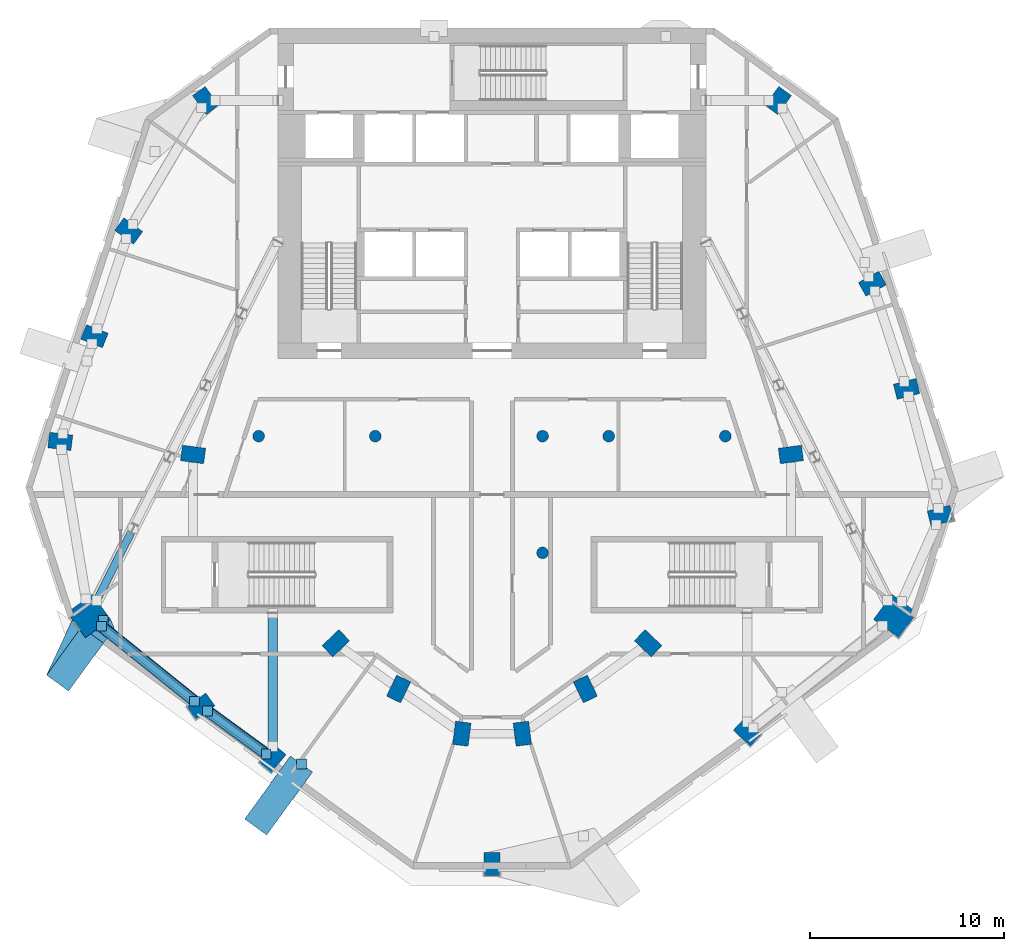
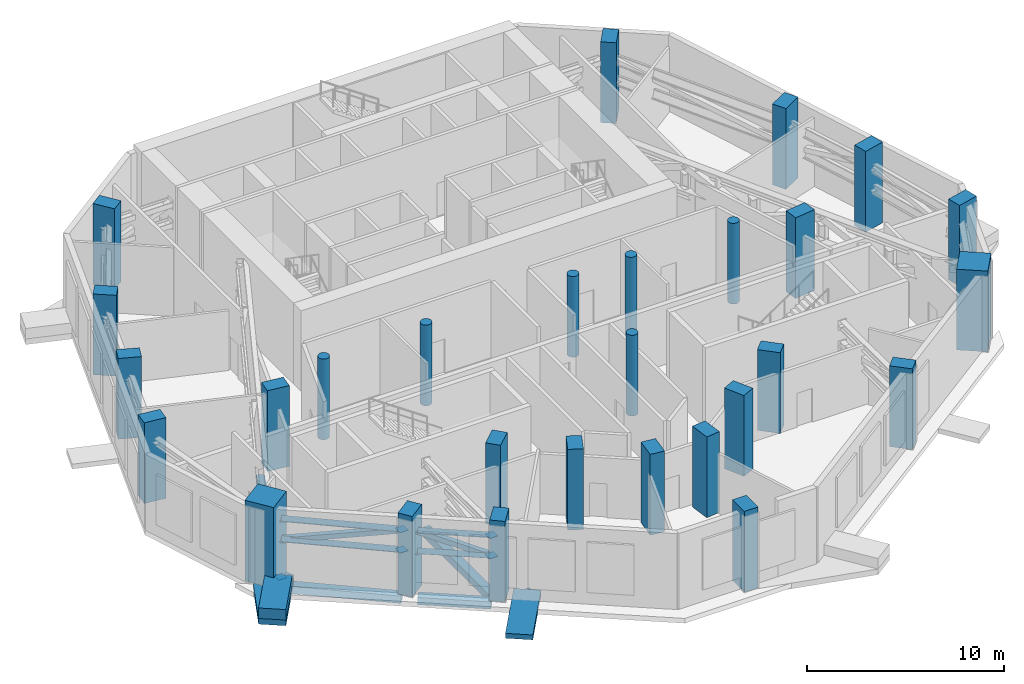
# One storey, part 1 of 16: 28 columns, 10 discrete accessories, 10 members, 3 beams.
"""IFC4 building model written with IfcOpenShell, lengths in metres."""

from ifc_helpers import new_model, si_unit, direction, frame, origin, origin_2d, place, context, subcontext, project, spatial, polyline, rectangle, hollow_rectangle, circle, i_section, outline, extrude, material, layer, layer_set, material_profile, profile_set, type_object, element, aggregate, save


model = new_model("IFC4")

# Units and contexts
model_context = context("Model", 3, precision=1e-05, world=origin(), true_north=direction((0.0, 1.0)))
body_context = subcontext(model_context, "Body", "Model", "MODEL_VIEW")
ifc_project = project(units=[si_unit("LENGTHUNIT", "METRE"), si_unit("AREAUNIT", "SQUARE_METRE"), si_unit("VOLUMEUNIT", "CUBIC_METRE"), si_unit("PLANEANGLEUNIT", "RADIAN"), si_unit("MASSUNIT", "GRAM", prefix="KILO")], contexts=[model_context])

# Site, building, storey
site_placement = place(None, origin())
site = spatial("IfcSite", under=ifc_project, at=site_placement, CompositionType="ELEMENT")
building_placement = place(site_placement, origin())
building = spatial("IfcBuilding", under=site, at=building_placement, Name="White Candle Pilgrim Tower", CompositionType="ELEMENT")
storey_placement = place(building_placement, frame((0.0, 0.0, 243.300048828125)))
storey = spatial("IfcBuildingStorey", under=building, at=storey_placement, Name="L57", CompositionType="ELEMENT", Elevation=243.300048828125)

# Columns
ifc_material_1 = material(Name="Concrete C70/85", Category="concrete")
ifc_material_profile_1 = material_profile(ifc_material_1, circle(Radius=0.300048828125, at=origin_2d()), Name="RC-COL D600")
ifc_profile_set_1 = profile_set([ifc_material_profile_1], Name="Concrete C70/85")
column_type_1 = type_object("IfcColumnType", Name="Interior column RC-COL D600 C70/85", PredefinedType="COLUMN", material=ifc_profile_set_1)
for number, where, z_axis, x_axis, name in (
    (1, (58.0, 67.0, 0.0), (0.0, 0.0, 1.0), (1.0, 0.0, 0.0), "L57 column I01"),
    (2, (64.0, 67.0, 0.0), (0.0, 0.0, 1.0), (1.0, 0.0, 0.0), "L57 column I02"),
    (3, (72.60009765625, 61.0, 0.0), (0.0, 0.0, 1.0), (1.0, 0.0, 0.0), "L57 column I03"),
    (4, (72.60009765625, 67.0, 0.0), (0.0, 0.0, 1.0), (1.0, 0.0, 0.0), "L57 column I04"),
    (5, (76.0, 67.0, 0.0), (0.0, 0.0, 1.0), (1.0, 0.0, 0.0), "L57 column I05"),
    (6, (82.0, 67.0, 0.0), (0.0, 0.0, 1.0), (1.0, 0.0, 0.0), "L57 column I06"),
):
    element("IfcColumn", number, at=place(storey_placement, frame(where, z_axis=z_axis, x_axis=x_axis)), inside=storey, type_object=column_type_1, Name=name, PredefinedType="COLUMN", context=body_context, shape_type="SweptSolid", body=[
        extrude(circle(Radius=0.300048828125, at=origin_2d()), origin(), (0.0, 0.0, 1.0), 5.0),
    ])
ifc_material_profile_2 = material_profile(ifc_material_1, rectangle(XDim=1.60009765625, YDim=1.60009765625, at=origin_2d()), Name="RC 1600x1600")
ifc_profile_set_2 = profile_set([ifc_material_profile_2], Name="Concrete C70/85")
column_type_2 = type_object("IfcColumnType", Name="Mega column RC 1600x1600 C70/85", PredefinedType="COLUMN", material=ifc_profile_set_2)
for number, where, z_axis, x_axis, name in (
    (7, (49.27001953125, 57.75, 0.0), (0.0, 0.0, 1.0), (-0.809016994375, -0.587785252292, 0.0), "L57 mega column T01"),
    (8, (90.739990234375, 57.75, 0.0), (0.0, 0.0, 1.0), (0.809016994375, -0.587785252292, 0.0), "L57 mega column T06"),
):
    element("IfcColumn", number, at=place(storey_placement, frame(where, z_axis=z_axis, x_axis=x_axis)), inside=storey, type_object=column_type_2, Name=name, PredefinedType="COLUMN", context=body_context, shape_type="SweptSolid", body=[
        extrude(rectangle(XDim=1.60009765625, YDim=1.60009765625, at=origin_2d()), origin(), (0.0, 0.0, 1.0), 5.0),
    ])
ifc_material_profile_3 = material_profile(ifc_material_1, rectangle(XDim=0.800048828125, YDim=1.199951171875, at=origin_2d()), Name="RC-PR 800x1200")
ifc_profile_set_3 = profile_set([ifc_material_profile_3], Name="Concrete C70/85")
column_type_3 = type_object("IfcColumnType", Name="Perimeter column RC-PR 800x1200 C70/85", PredefinedType="COLUMN", material=ifc_profile_set_3)
for number, where, z_axis, x_axis, name in (
    (9, (55.030029296875, 53.110107421875, 0.0), (0.0, 0.0, 1.0), (-0.58846280644, 0.808524288711, 0.0), "L57 column T02"),
    (10, (58.719970703125, 50.419921875, 0.0), (0.0, 0.0, 1.0), (-0.769310358735, 0.638875239733, 0.0), "L57 column T03"),
    (11, (70.0, 45.0, 0.0), (0.0, 0.0, 1.0), (-1.0, 0.0, 0.0), "L57 column T04"),
    (12, (83.1201171875, 51.760009765625, 0.0), (0.0, 0.0, 1.0), (-0.681998360062, -0.731353701619, 0.0), "L57 column T05"),
    (13, (93.06005859375, 62.909912109375, 0.0), (0.0, 0.0, 1.0), (0.246880623275, -0.969045900797, 0.0), "L57 column T07"),
    (14, (91.320068359375, 69.429931640625, 0.0), (0.0, 0.0, 1.0), (0.246880623275, -0.969045900797, 0.0), "L57 column T08"),
    (15, (89.56005859375, 74.840087890625, 0.0), (0.0, 0.0, 1.0), (0.484809620246, -0.874619707139, 0.0), "L57 column T09"),
    (16, (84.719970703125, 84.260009765625, 0.0), (0.0, 0.0, 1.0), (0.80902725304, -0.587771132193, 0.0), "L57 column T10"),
    (17, (55.280029296875, 84.260009765625, 0.0), (0.0, 0.0, 1.0), (0.80902725304, 0.587771132193, 0.0), "L57 column T11"),
    (18, (51.320068359375, 77.550048828125, 0.0), (0.0, 0.0, 1.0), (0.587107285614, 0.809509132239, 0.0), "L57 column T12"),
    (19, (49.56005859375, 72.139892578125, 0.0), (0.0, 0.0, 1.0), (0.369860269472, 0.929087391512, 0.0), "L57 column T13"),
    (20, (47.800048828125, 66.72998046875, 0.0), (0.0, 0.0, 1.0), (0.121869343405, 0.992546151641, 0.0), "L57 column T14"),
):
    element("IfcColumn", number, at=place(storey_placement, frame(where, z_axis=z_axis, x_axis=x_axis)), inside=storey, type_object=column_type_3, Name=name, PredefinedType="COLUMN", context=body_context, shape_type="SweptSolid", body=[
        extrude(rectangle(XDim=0.800048828125, YDim=1.199951171875, at=origin_2d()), origin(), (0.0, 0.0, 1.0), 5.0),
    ])
ifc_material_profile_4 = material_profile(ifc_material_1, rectangle(XDim=0.800048828125, YDim=1.199951171875, at=origin_2d()), Name="RC-PR 800x1200")
ifc_profile_set_4 = profile_set([ifc_material_profile_4], Name="Concrete C70/85")
column_type_4 = type_object("IfcColumnType", Name="Ring column RC-PR 800x1200 C70/85", PredefinedType="COLUMN", material=ifc_profile_set_4)
for number, where, z_axis, x_axis, name in (
    (21, (61.969970703125, 56.35009765625, 0.0), (0.0, 0.0, 1.0), (-0.689872285383, 0.723931094691, 0.0), "L57 column R01"),
    (22, (65.199951171875, 54.0, 0.0), (0.0, 0.0, 1.0), (-0.901689191761, 0.43238478403, 0.0), "L57 column R02"),
    (23, (68.449951171875, 51.699951171875, 0.0), (0.0, 0.0, 1.0), (-0.992092811428, 0.125506388335, 0.0), "L57 column R03"),
    (24, (71.56005859375, 51.699951171875, 0.0), (0.0, 0.0, 1.0), (-0.992092811428, -0.125506388335, 0.0), "L57 column R04"),
    (25, (74.800048828125, 54.0, 0.0), (0.0, 0.0, 1.0), (-0.901689191761, -0.43238478403, 0.0), "L57 column R05"),
    (26, (78.030029296875, 56.35009765625, 0.0), (0.0, 0.0, 1.0), (-0.689872285383, -0.723931094691, 0.0), "L57 column R06"),
    (27, (85.3701171875, 66.06005859375, 0.0), (0.0, 0.0, 1.0), (0.132602381688, -0.991169313675, 0.0), "L57 column R07"),
    (28, (54.6298828125, 66.06005859375, 0.0), (0.0, 0.0, 1.0), (0.132602381688, 0.991169313675, 0.0), "L57 column R08"),
):
    element("IfcColumn", number, at=place(storey_placement, frame(where, z_axis=z_axis, x_axis=x_axis)), inside=storey, type_object=column_type_4, Name=name, PredefinedType="COLUMN", context=body_context, shape_type="SweptSolid", body=[
        extrude(rectangle(XDim=0.800048828125, YDim=1.199951171875, at=origin_2d()), origin(), (0.0, 0.0, 1.0), 5.0),
    ])

# Member
ifc_material_2 = material(Name="Steel S355", Category="steel")
ifc_material_profile_5 = material_profile(ifc_material_2, i_section(OverallWidth=0.305908203125, OverallDepth=0.52392578125, WebThickness=0.02099609375, FlangeThickness=0.0400390625, FilletRadius=0.027099609375, at=origin_2d()), Name="HEM 500")
ifc_profile_set_5 = profile_set([ifc_material_profile_5], Name="Steel S355")
member_type_1 = type_object("IfcMemberType", Name="Belt truss chord HEM 500 S355", PredefinedType="CHORD", material=ifc_profile_set_5)
member_1_placement = place(storey_placement, frame((49.915283203125, 57.22998046875, 2.411865234375), z_axis=(0.778778136726, -0.62729946099, 0.0), x_axis=(0.393522107098, 0.488548822985, 0.778755673357)))
member_1 = element("IfcMember", 29, at=member_1_placement, inside=storey, type_object=member_type_1, Name="L57 belt truss bottom chord 01", PredefinedType="CHORD", context=body_context, shape_type="SweptSolid", body=[
    extrude(i_section(OverallWidth=0.305908203125, OverallDepth=0.52392578125, WebThickness=0.02099609375, FlangeThickness=0.0400390625, FilletRadius=0.027099609375, at=origin_2d()), origin(), (0.0, 0.0, 1.0), 6.153564453125),
])

member_2_placement = place(storey_placement, frame((49.915283203125, 57.22998046875, 3.677978515625), z_axis=(0.778778136726, -0.62729946099, 0.0), x_axis=(0.393522107098, 0.488548822985, 0.778755673357)))
member_2 = element("IfcMember", 30, at=member_2_placement, inside=storey, type_object=member_type_1, Name="L57 belt truss top chord 01", PredefinedType="CHORD", context=body_context, shape_type="SweptSolid", body=[
    extrude(i_section(OverallWidth=0.305908203125, OverallDepth=0.52392578125, WebThickness=0.02099609375, FlangeThickness=0.0400390625, FilletRadius=0.027099609375, at=origin_2d()), origin(), (0.0, 0.0, 1.0), 6.153564453125),
])

member_3_placement = place(storey_placement, frame((55.36962890625, 52.8623046875, 2.411865234375), z_axis=(0.808061834145, -0.58909767628, 0.0), x_axis=(0.347026248306, 0.47601387341, 0.808073991233)))
member_3 = element("IfcMember", 31, at=member_3_placement, inside=storey, type_object=member_type_1, Name="L57 belt truss bottom chord 02", PredefinedType="CHORD", context=body_context, shape_type="SweptSolid", body=[
    extrude(i_section(OverallWidth=0.305908203125, OverallDepth=0.52392578125, WebThickness=0.02099609375, FlangeThickness=0.0400390625, FilletRadius=0.027099609375, at=origin_2d()), origin(), (0.0, 0.0, 1.0), 3.7451171875),
])

member_4_placement = place(storey_placement, frame((55.36962890625, 52.8623046875, 3.677978515625), z_axis=(0.808061834145, -0.58909767628, 0.0), x_axis=(0.347026248306, 0.47601387341, 0.808073991233)))
member_4 = element("IfcMember", 32, at=member_4_placement, inside=storey, type_object=member_type_1, Name="L57 belt truss top chord 02", PredefinedType="CHORD", context=body_context, shape_type="SweptSolid", body=[
    extrude(i_section(OverallWidth=0.305908203125, OverallDepth=0.52392578125, WebThickness=0.02099609375, FlangeThickness=0.0400390625, FilletRadius=0.027099609375, at=origin_2d()), origin(), (0.0, 0.0, 1.0), 3.7451171875),
])

# Members
ifc_material_profile_6 = material_profile(ifc_material_2, hollow_rectangle(XDim=0.300048828125, YDim=0.300048828125, WallThickness=0.01611328125, at=origin_2d()), Name="SHS 300x300x16")
ifc_profile_set_6 = profile_set([ifc_material_profile_6], Name="Steel S355")
member_type_2 = type_object("IfcMemberType", Name="Belt truss diagonal SHS 300x300x16 S355", PredefinedType="BRACE", material=ifc_profile_set_6)
member_5_placement = place(storey_placement, frame((49.915283203125, 57.22998046875, 2.411865234375), z_axis=(0.762799077298, -0.614428458463, 0.201532223489), x_axis=(0.62729946099, 0.778778136726, 0.0)))
element("IfcMember", 33, at=member_5_placement, inside=storey, type_object=member_type_2, Name="L57 belt truss diagonal 01", PredefinedType="BRACE", context=body_context, shape_type="SweptSolid", body=[
    extrude(hollow_rectangle(XDim=0.300048828125, YDim=0.300048828125, WallThickness=0.01611328125, at=origin_2d()), origin(), (0.0, 0.0, 1.0), 6.282470703125),
])
member_6_placement = place(storey_placement, frame((55.36962890625, 52.8623046875, 3.677978515625), z_axis=(0.765502050014, -0.558070508711, -0.320256020601), x_axis=(0.58909767628, 0.808061834145, 0.0)))
element("IfcMember", 34, at=member_6_placement, inside=storey, type_object=member_type_2, Name="L57 belt truss diagonal 02", PredefinedType="BRACE", context=body_context, shape_type="SweptSolid", body=[
    extrude(hollow_rectangle(XDim=0.300048828125, YDim=0.300048828125, WallThickness=0.01611328125, at=origin_2d()), origin(), (0.0, 0.0, 1.0), 3.953369140625),
])
ifc_material_profile_7 = material_profile(ifc_material_2, hollow_rectangle(XDim=0.39990234375, YDim=0.39990234375, WallThickness=0.02001953125, at=origin_2d()), Name="SHS 400x400x20")
ifc_profile_set_7 = profile_set([ifc_material_profile_7], Name="Steel S355")
member_type_3 = type_object("IfcMemberType", Name="L44 outrigger 1 diagonal SHS 400x400x20 S355", PredefinedType="BRACE", material=ifc_profile_set_7)
member_7_placement = place(storey_placement, frame((51.54052734375, 62.2421875, 2.556884765625), z_axis=(-0.415878287523, -0.822881455791, 0.387183883552), x_axis=(0.89249372005, -0.451059818285, 0.0)))
element("IfcMember", 35, at=member_7_placement, inside=storey, type_object=member_type_3, Name="L57 outrigger 1 diagonal 5", PredefinedType="BRACE", context=body_context, shape_type="SweptSolid", body=[
    extrude(hollow_rectangle(XDim=0.39990234375, YDim=0.39990234375, WallThickness=0.02001953125, at=origin_2d()), origin(), (0.0, 0.0, 1.0), 4.48388671875),
])

# Member
ifc_material_3 = material(Name="Concrete C70/85, white", Category="concrete")
ifc_layer_1 = layer(ifc_material_3, 0.300048828125)
ifc_layer_set_1 = layer_set([ifc_layer_1], Name="Node tie strut 4000x1400x300 C70/85")
member_type_4 = type_object("IfcMemberType", Name="Node tie strut 4000x1400x300 C70/85", PredefinedType="STRUT", material=ifc_layer_set_1)
member_8_placement = place(storey_placement, frame((0.0, 0.0, -0.35009765625)))
member_8 = element("IfcMember", 36, at=member_8_placement, inside=storey, type_object=member_type_4, Name="Node tie strut NC198", PredefinedType="STRUT", context=body_context, shape_type="SweptSolid", body=[
    extrude(outline(polyline([(48.22802734375, 53.8916015625), (50.5791015625, 57.127685546875), (50.387451171875, 57.572998046875), (49.093017578125, 56.632568359375), (48.420166015625, 57.55859375), (47.095458984375, 54.714599609375), (48.22802734375, 53.8916015625)])), origin(), (0.0, 0.0, 1.0), 0.35009765625),
])

member_9_placement = place(storey_placement, origin())
element("IfcMember", 37, at=member_9_placement, inside=storey, type_object=member_type_4, Name="Node tie strut NC198", PredefinedType="STRUT", context=body_context, shape_type="SweptSolid", body=[
    extrude(outline(polyline([(48.22802734375, 53.8916015625), (50.020751953125, 56.359130859375), (49.36865234375, 56.8330078125), (49.093017578125, 56.632568359375), (48.791015625, 57.04833984375), (47.095458984375, 54.714599609375), (48.22802734375, 53.8916015625)])), origin(), (0.0, 0.0, 1.0), 0.64990234375),
])

member_10_placement = place(storey_placement, frame((59.024169921875, 48.52001953125, -0.30029296875), z_axis=(0.0, 0.0, 1.0), x_axis=(0.809016994375, -0.587785252292, 0.0)))
member_10 = element("IfcMember", 38, at=member_10_placement, inside=storey, type_object=member_type_4, Name="Node tie strut NC199", PredefinedType="STRUT", context=body_context, shape_type="SweptSolid", body=[
    extrude(rectangle(XDim=1.39990234375, YDim=4.0, at=origin_2d()), origin(), (0.0, 0.0, 1.0), 0.300048828125),
])

# Beams
ifc_material_4 = material(Name="Concrete C50/60", Category="concrete")
ifc_material_profile_8 = material_profile(ifc_material_4, rectangle(XDim=0.5, YDim=0.449951171875, at=origin_2d()), Name="RC-BM 500x450")
ifc_profile_set_8 = profile_set([ifc_material_profile_8], Name="Concrete C50/60")
beam_type = type_object("IfcBeamType", Name="Spandrel beam RC-BM 500x450 C50/60", PredefinedType="BEAM", material=ifc_profile_set_8)
beam_1_placement = place(storey_placement, frame((49.915283203125, 57.22998046875, -0.525146484375), z_axis=(0.778778136726, -0.62729946099, 0.0), x_axis=(0.62729946099, 0.778778136726, 0.0)))
element("IfcBeam", 39, at=beam_1_placement, inside=storey, type_object=beam_type, Name="L57 spandrel beam T01", PredefinedType="BEAM", context=body_context, shape_type="SweptSolid", body=[
    extrude(rectangle(XDim=0.5, YDim=0.449951171875, at=origin_2d()), origin(), (0.0, 0.0, 1.0), 6.153564453125),
])
beam_2_placement = place(storey_placement, frame((55.36962890625, 52.8623046875, -0.525146484375), z_axis=(0.808061834145, -0.58909767628, 0.0), x_axis=(0.58909767628, 0.808061834145, 0.0)))
element("IfcBeam", 40, at=beam_2_placement, inside=storey, type_object=beam_type, Name="L57 spandrel beam T02", PredefinedType="BEAM", context=body_context, shape_type="SweptSolid", body=[
    extrude(rectangle(XDim=0.5, YDim=0.449951171875, at=origin_2d()), origin(), (0.0, 0.0, 1.0), 3.7451171875),
])
beam_3_placement = place(storey_placement, frame((58.719970703125, 51.046142578125, -0.525146484375), z_axis=(0.0, 1.0, 0.0), x_axis=(-1.0, 0.0, 0.0)))
element("IfcBeam", 41, at=beam_3_placement, inside=storey, type_object=beam_type, Name="L57 spandrel beam T03", PredefinedType="BEAM", context=body_context, shape_type="SweptSolid", body=[
    extrude(rectangle(XDim=0.5, YDim=0.449951171875, at=origin_2d()), origin(), (0.0, 0.0, 1.0), 6.853759765625),
])

# Discrete accessory
ifc_layer_2 = layer(ifc_material_2, 0.02490234375)
ifc_layer_set_2 = layer_set([ifc_layer_2], Name="Gusset plate 500x500x25 S355")
discrete_accessory_type = type_object("IfcDiscreteAccessoryType", Name="Gusset plate 500x500x25 S355", PredefinedType="BRACKET", material=ifc_layer_set_2)
discrete_accessory_1_placement = place(storey_placement, frame((50.012939453125, 57.5390625, -0.16259765625), z_axis=(0.0, 0.0, 1.0), x_axis=(1.0, 0.0, 0.0)))
discrete_accessory_1 = element("IfcDiscreteAccessory", 42, at=discrete_accessory_1_placement, type_object=discrete_accessory_type, Name="Gusset plate 0579", PredefinedType="BRACKET", context=body_context, shape_type="SweptSolid", body=[
    extrude(rectangle(XDim=0.5, YDim=0.5, at=origin_2d()), origin(), (0.0, 0.0, 1.0), 0.02490234375),
])

aggregate(member_8, [discrete_accessory_1])

discrete_accessory_2_placement = place(storey_placement, frame((60.19970703125, 50.137939453125, -0.16259765625), z_axis=(0.0, 0.0, 1.0), x_axis=(1.0, 0.0, 0.0)))
discrete_accessory_2 = element("IfcDiscreteAccessory", 43, at=discrete_accessory_2_placement, type_object=discrete_accessory_type, Name="Gusset plate 0580", PredefinedType="BRACKET", context=body_context, shape_type="SweptSolid", body=[
    extrude(rectangle(XDim=0.5, YDim=0.5, at=origin_2d()), origin(), (0.0, 0.0, 1.0), 0.02490234375),
])

aggregate(member_10, [discrete_accessory_2])

discrete_accessory_3_placement = place(storey_placement, frame((49.915283203125, 57.22998046875, 2.3994140625), z_axis=(0.0, 0.0, 1.0), x_axis=(1.0, 0.0, 0.0)))
discrete_accessory_3 = element("IfcDiscreteAccessory", 44, at=discrete_accessory_3_placement, type_object=discrete_accessory_type, Name="Gusset plate 0838", PredefinedType="BRACKET", context=body_context, shape_type="SweptSolid", body=[
    extrude(rectangle(XDim=0.5, YDim=0.5, at=origin_2d()), origin(), (0.0, 0.0, 1.0), 0.02490234375),
])

discrete_accessory_4_placement = place(storey_placement, frame((54.70751953125, 53.369873046875, 2.3994140625), z_axis=(0.0, 0.0, 1.0), x_axis=(1.0, 0.0, 0.0)))
discrete_accessory_4 = element("IfcDiscreteAccessory", 45, at=discrete_accessory_4_placement, type_object=discrete_accessory_type, Name="Gusset plate 0839", PredefinedType="BRACKET", context=body_context, shape_type="SweptSolid", body=[
    extrude(rectangle(XDim=0.5, YDim=0.5, at=origin_2d()), origin(), (0.0, 0.0, 1.0), 0.02490234375),
])

aggregate(member_1, [discrete_accessory_3, discrete_accessory_4])

discrete_accessory_5_placement = place(storey_placement, frame((49.915283203125, 57.22998046875, 3.66552734375), z_axis=(0.0, 0.0, 1.0), x_axis=(1.0, 0.0, 0.0)))
discrete_accessory_5 = element("IfcDiscreteAccessory", 46, at=discrete_accessory_5_placement, type_object=discrete_accessory_type, Name="Gusset plate 0840", PredefinedType="BRACKET", context=body_context, shape_type="SweptSolid", body=[
    extrude(rectangle(XDim=0.5, YDim=0.5, at=origin_2d()), origin(), (0.0, 0.0, 1.0), 0.02490234375),
])

discrete_accessory_6_placement = place(storey_placement, frame((54.70751953125, 53.369873046875, 3.66552734375), z_axis=(0.0, 0.0, 1.0), x_axis=(1.0, 0.0, 0.0)))
discrete_accessory_6 = element("IfcDiscreteAccessory", 47, at=discrete_accessory_6_placement, type_object=discrete_accessory_type, Name="Gusset plate 0841", PredefinedType="BRACKET", context=body_context, shape_type="SweptSolid", body=[
    extrude(rectangle(XDim=0.5, YDim=0.5, at=origin_2d()), origin(), (0.0, 0.0, 1.0), 0.02490234375),
])

aggregate(member_2, [discrete_accessory_5, discrete_accessory_6])

discrete_accessory_7_placement = place(storey_placement, frame((55.36962890625, 52.8623046875, 2.3994140625), z_axis=(0.0, 0.0, 1.0), x_axis=(1.0, 0.0, 0.0)))
discrete_accessory_7 = element("IfcDiscreteAccessory", 48, at=discrete_accessory_7_placement, type_object=discrete_accessory_type, Name="Gusset plate 0842", PredefinedType="BRACKET", context=body_context, shape_type="SweptSolid", body=[
    extrude(rectangle(XDim=0.5, YDim=0.5, at=origin_2d()), origin(), (0.0, 0.0, 1.0), 0.02490234375),
])

discrete_accessory_8_placement = place(storey_placement, frame((58.39599609375, 50.656005859375, 2.3994140625), z_axis=(0.0, 0.0, 1.0), x_axis=(1.0, 0.0, 0.0)))
discrete_accessory_8 = element("IfcDiscreteAccessory", 49, at=discrete_accessory_8_placement, type_object=discrete_accessory_type, Name="Gusset plate 0843", PredefinedType="BRACKET", context=body_context, shape_type="SweptSolid", body=[
    extrude(rectangle(XDim=0.5, YDim=0.5, at=origin_2d()), origin(), (0.0, 0.0, 1.0), 0.02490234375),
])

aggregate(member_3, [discrete_accessory_7, discrete_accessory_8])

discrete_accessory_9_placement = place(storey_placement, frame((55.36962890625, 52.8623046875, 3.66552734375), z_axis=(0.0, 0.0, 1.0), x_axis=(1.0, 0.0, 0.0)))
discrete_accessory_9 = element("IfcDiscreteAccessory", 50, at=discrete_accessory_9_placement, type_object=discrete_accessory_type, Name="Gusset plate 0844", PredefinedType="BRACKET", context=body_context, shape_type="SweptSolid", body=[
    extrude(rectangle(XDim=0.5, YDim=0.5, at=origin_2d()), origin(), (0.0, 0.0, 1.0), 0.02490234375),
])

discrete_accessory_10_placement = place(storey_placement, frame((58.39599609375, 50.656005859375, 3.66552734375), z_axis=(0.0, 0.0, 1.0), x_axis=(1.0, 0.0, 0.0)))
discrete_accessory_10 = element("IfcDiscreteAccessory", 51, at=discrete_accessory_10_placement, type_object=discrete_accessory_type, Name="Gusset plate 0845", PredefinedType="BRACKET", context=body_context, shape_type="SweptSolid", body=[
    extrude(rectangle(XDim=0.5, YDim=0.5, at=origin_2d()), origin(), (0.0, 0.0, 1.0), 0.02490234375),
])

aggregate(member_4, [discrete_accessory_9, discrete_accessory_10])

save(model, "model.ifc")
